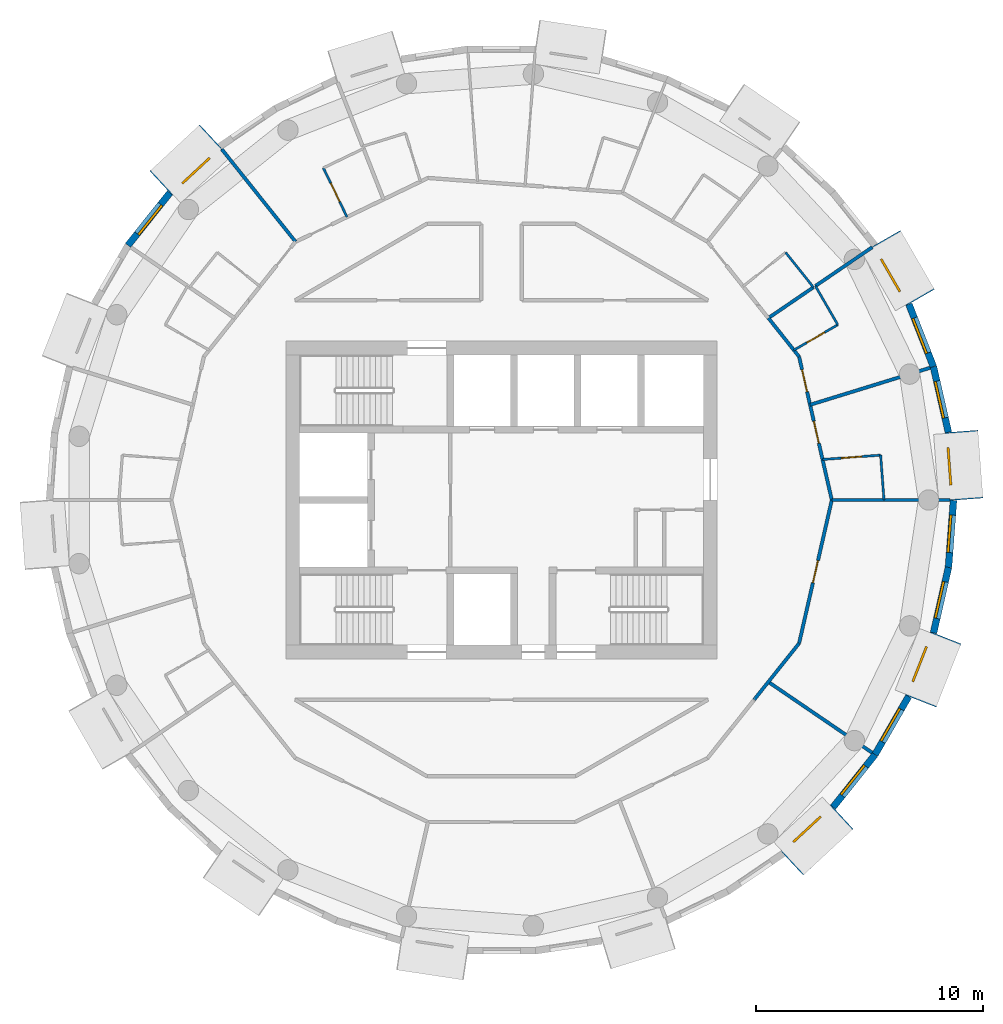
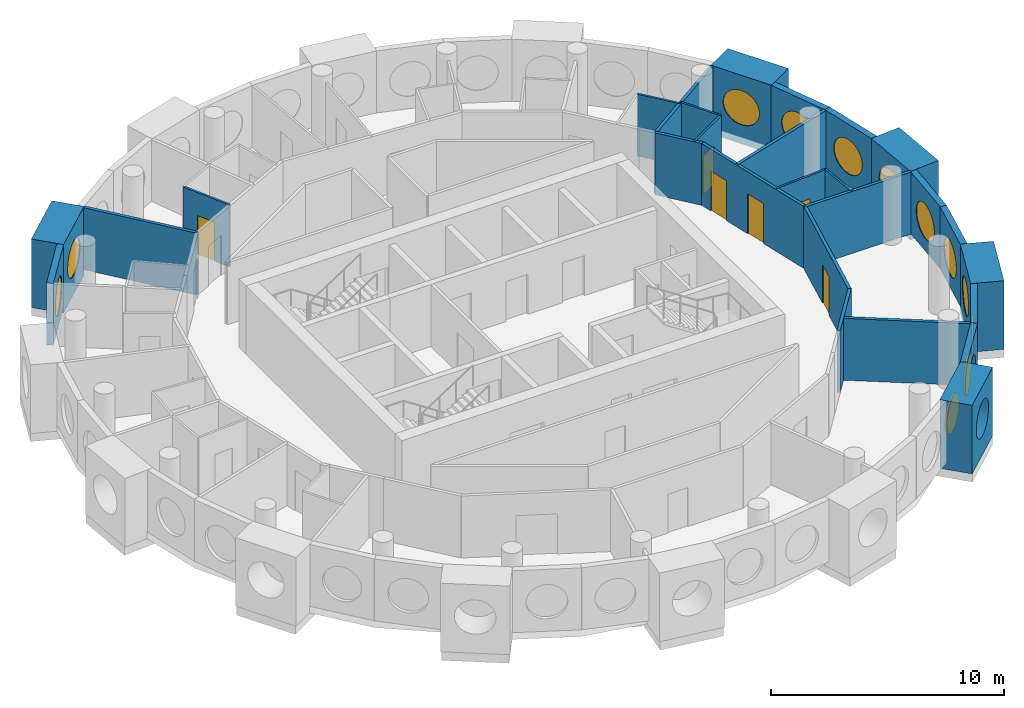
# One storey, part 10 of 13: 28 walls, 12 windows, 6 doors, 18 openings.
"""IFC4 building model written with IfcOpenShell, lengths in metres."""

from ifc_helpers import new_model, si_unit, direction, frame, frame_2d, origin, origin_2d, place, context, subcontext, project, spatial, rectangle, circle, extrude, material, layer, layer_set, type_object, element, fill, save


model = new_model("IFC4")

# Units and contexts
model_context = context("Model", 3, precision=1e-05, world=origin(), true_north=direction((0.0, 1.0)))
body_context = subcontext(model_context, "Body", "Model", "MODEL_VIEW")
ifc_project = project(units=[si_unit("LENGTHUNIT", "METRE"), si_unit("AREAUNIT", "SQUARE_METRE"), si_unit("VOLUMEUNIT", "CUBIC_METRE"), si_unit("PLANEANGLEUNIT", "RADIAN"), si_unit("MASSUNIT", "GRAM", prefix="KILO")], contexts=[model_context])

# Site, building, storey
site_placement = place(None, origin())
site = spatial("IfcSite", under=ifc_project, at=site_placement, CompositionType="ELEMENT")
building_placement = place(site_placement, origin())
building = spatial("IfcBuilding", under=site, at=building_placement, Name="Tracery Tower", CompositionType="ELEMENT")
storey_placement = place(building_placement, frame((0.0, 0.0, 309.0)))
storey = spatial("IfcBuildingStorey", under=building, at=storey_placement, Name="L80", CompositionType="ELEMENT", Elevation=309.0)

# Wall, opening, window
ifc_material_1 = material(Name="Precast concrete C50/60", Category="concrete")
ifc_layer_1 = layer(ifc_material_1, 1.449951171875)
ifc_layer_set_1 = layer_set([ifc_layer_1], Name="Deep-set bay unit 3000 x 3600, slab edge 350")
wall_type_1 = type_object("IfcWallType", Name="Deep-set bay unit 3000 x 3600, slab edge 350", PredefinedType="ELEMENTEDWALL", material=ifc_layer_set_1)
wall_1_placement = place(storey_placement, frame((20.49609375, 0.03173828125, -0.35009765625), z_axis=(0.0, 0.0, 1.0), x_axis=(-0.074785902127, 0.997199613339, 0.0)))
wall_1 = element("IfcWall", 1, at=wall_1_placement, inside=storey, type_object=wall_type_1, Name="Deep-set bay unit 1 at L80", PredefinedType="ELEMENTEDWALL", context=body_context, shape_type="SweptSolid", body=[
    extrude(rectangle(XDim=3.0, YDim=1.449951171875, at=frame_2d((1.5, 0.0))), origin(), (0.0, 0.0, 1.0), 3.60009765625),
])
opening_1_placement = place(wall_1_placement, frame((1.5, 0.0, 1.89990234375)))
opening_1 = element("IfcOpeningElement", 2, at=opening_1_placement, cuts=wall_1, Name="Opening WN1", PredefinedType="OPENING", context=body_context, shape_type="SweptSolid", body=[
    extrude(circle(Radius=0.9000244140625, at=origin_2d()), frame((0.0, 0.73486328125, 0.0), z_axis=(0.0, -1.0, 0.0), x_axis=(1.0, 0.0, 0.0)), (0.0, 0.0, 1.0), 1.469970703125),
])
ifc_material_2 = material(Name="Aluminium frame with tinted double glazing", Category="aluminium")
window_type = type_object("IfcWindowType", Name="Round window 1800", PartitioningType="SINGLE_PANEL", PredefinedType="WINDOW", material=ifc_material_2)
window_1_placement = place(opening_1_placement, origin())
window_1 = element("IfcWindow", 3, at=window_1_placement, inside=storey, type_object=window_type, Name="Round window 1 at L80", OverallHeight=1.800048828125, OverallWidth=1.800048828125, PartitioningType="SINGLE_PANEL", PredefinedType="WINDOW", context=body_context, shape_type="SweptSolid", body=[
    extrude(circle(Radius=0.9000244140625, at=origin_2d()), frame((0.0, 0.69482421875, 0.0), z_axis=(0.0, -1.0, 0.0), x_axis=(1.0, 0.0, 0.0)), (0.0, 0.0, 1.0), 0.10009765625),
])
fill(opening_1, window_1)

wall_2_placement = place(storey_placement, frame((18.452392578125, 8.92138671875, -0.35009765625), z_axis=(0.0, 0.0, 1.0), x_axis=(-0.499990139034, 0.866031096941, 0.0)))
wall_2 = element("IfcWall", 4, at=wall_2_placement, inside=storey, type_object=wall_type_1, Name="Deep-set bay unit 4 at L80", PredefinedType="ELEMENTEDWALL", context=body_context, shape_type="SweptSolid", body=[
    extrude(rectangle(XDim=3.0, YDim=1.449951171875, at=frame_2d((1.5, 0.0))), origin(), (0.0, 0.0, 1.0), 3.60009765625),
])
opening_2_placement = place(wall_2_placement, frame((1.5, 0.0, 1.89990234375)))
opening_2 = element("IfcOpeningElement", 5, at=opening_2_placement, cuts=wall_2, Name="Opening WN1", PredefinedType="OPENING", context=body_context, shape_type="SweptSolid", body=[
    extrude(circle(Radius=0.9000244140625, at=origin_2d()), frame((0.0, 0.73486328125, 0.0), z_axis=(0.0, -1.0, 0.0), x_axis=(1.0, 0.0, 0.0)), (0.0, 0.0, 1.0), 1.469970703125),
])
window_2_placement = place(opening_2_placement, origin())
window_2 = element("IfcWindow", 6, at=window_2_placement, inside=storey, type_object=window_type, Name="Round window 4 at L80", OverallHeight=1.800048828125, OverallWidth=1.800048828125, PartitioningType="SINGLE_PANEL", PredefinedType="WINDOW", context=body_context, shape_type="SweptSolid", body=[
    extrude(circle(Radius=0.9000244140625, at=origin_2d()), frame((0.0, 0.69482421875, 0.0), z_axis=(0.0, -1.0, 0.0), x_axis=(1.0, 0.0, 0.0)), (0.0, 0.0, 1.0), 0.10009765625),
])
fill(opening_2, window_2)

wall_3_placement = place(storey_placement, frame((-12.803955078125, 16.004638671875, -0.35009765625), z_axis=(0.0, 0.0, 1.0), x_axis=(-0.733022439167, -0.680204457261, 0.0)))
wall_3 = element("IfcWall", 7, at=wall_3_placement, inside=storey, type_object=wall_type_1, Name="Deep-set bay unit 16 at L80", PredefinedType="ELEMENTEDWALL", context=body_context, shape_type="SweptSolid", body=[
    extrude(rectangle(XDim=2.999755859375, YDim=1.449951171875, at=frame_2d((1.5, 0.0))), origin(), (0.0, 0.0, 1.0), 3.60009765625),
])
opening_3_placement = place(wall_3_placement, frame((1.5, 0.0, 1.89990234375)))
opening_3 = element("IfcOpeningElement", 8, at=opening_3_placement, cuts=wall_3, Name="Opening WN1", PredefinedType="OPENING", context=body_context, shape_type="SweptSolid", body=[
    extrude(circle(Radius=0.9000244140625, at=origin_2d()), frame((0.0, 0.73486328125, 0.0), z_axis=(0.0, -1.0, 0.0), x_axis=(1.0, 0.0, 0.0)), (0.0, 0.0, 1.0), 1.469970703125),
])
window_3_placement = place(opening_3_placement, origin())
window_3 = element("IfcWindow", 9, at=window_3_placement, inside=storey, type_object=window_type, Name="Round window 16 at L80", OverallHeight=1.800048828125, OverallWidth=1.800048828125, PartitioningType="SINGLE_PANEL", PredefinedType="WINDOW", context=body_context, shape_type="SweptSolid", body=[
    extrude(circle(Radius=0.9000244140625, at=origin_2d()), frame((0.0, 0.69482421875, 0.0), z_axis=(0.0, -1.0, 0.0), x_axis=(1.0, 0.0, 0.0)), (0.0, 0.0, 1.0), 0.10009765625),
])
fill(opening_3, window_3)

wall_4_placement = place(storey_placement, frame((12.803955078125, -16.004638671875, -0.35009765625), z_axis=(0.0, 0.0, 1.0), x_axis=(0.733022439167, 0.680204457261, 0.0)))
wall_4 = element("IfcWall", 10, at=wall_4_placement, inside=storey, type_object=wall_type_1, Name="Deep-set bay unit 37 at L80", PredefinedType="ELEMENTEDWALL", context=body_context, shape_type="SweptSolid", body=[
    extrude(rectangle(XDim=2.999755859375, YDim=1.449951171875, at=frame_2d((1.5, 0.0))), origin(), (0.0, 0.0, 1.0), 3.60009765625),
])
opening_4_placement = place(wall_4_placement, frame((1.5, 0.0, 1.89990234375)))
opening_4 = element("IfcOpeningElement", 11, at=opening_4_placement, cuts=wall_4, Name="Opening WN1", PredefinedType="OPENING", context=body_context, shape_type="SweptSolid", body=[
    extrude(circle(Radius=0.9000244140625, at=origin_2d()), frame((0.0, 0.73486328125, 0.0), z_axis=(0.0, -1.0, 0.0), x_axis=(1.0, 0.0, 0.0)), (0.0, 0.0, 1.0), 1.469970703125),
])
window_4_placement = place(opening_4_placement, origin())
window_4 = element("IfcWindow", 12, at=window_4_placement, inside=storey, type_object=window_type, Name="Round window 37 at L80", OverallHeight=1.800048828125, OverallWidth=1.800048828125, PartitioningType="SINGLE_PANEL", PredefinedType="WINDOW", context=body_context, shape_type="SweptSolid", body=[
    extrude(circle(Radius=0.9000244140625, at=origin_2d()), frame((0.0, 0.69482421875, 0.0), z_axis=(0.0, -1.0, 0.0), x_axis=(1.0, 0.0, 0.0)), (0.0, 0.0, 1.0), 0.10009765625),
])
fill(opening_4, window_4)

wall_5_placement = place(storey_placement, frame((18.47998046875, -8.8642578125, -0.35009765625), z_axis=(0.0, 0.0, 1.0), x_axis=(0.36537792632, 0.93085926485, 0.0)))
wall_5 = element("IfcWall", 13, at=wall_5_placement, inside=storey, type_object=wall_type_1, Name="Deep-set bay unit 40 at L80", PredefinedType="ELEMENTEDWALL", context=body_context, shape_type="SweptSolid", body=[
    extrude(rectangle(XDim=3.000244140625, YDim=1.449951171875, at=frame_2d((1.5, 0.0))), origin(), (0.0, 0.0, 1.0), 3.60009765625),
])
opening_5_placement = place(wall_5_placement, frame((1.5, 0.0, 1.89990234375)))
opening_5 = element("IfcOpeningElement", 14, at=opening_5_placement, cuts=wall_5, Name="Opening WN1", PredefinedType="OPENING", context=body_context, shape_type="SweptSolid", body=[
    extrude(circle(Radius=0.9000244140625, at=origin_2d()), frame((0.0, 0.73486328125, 0.0), z_axis=(0.0, -1.0, 0.0), x_axis=(1.0, 0.0, 0.0)), (0.0, 0.0, 1.0), 1.469970703125),
])
window_5_placement = place(opening_5_placement, origin())
window_5 = element("IfcWindow", 15, at=window_5_placement, inside=storey, type_object=window_type, Name="Round window 40 at L80", OverallHeight=1.800048828125, OverallWidth=1.800048828125, PartitioningType="SINGLE_PANEL", PredefinedType="WINDOW", context=body_context, shape_type="SweptSolid", body=[
    extrude(circle(Radius=0.9000244140625, at=origin_2d()), frame((0.0, 0.69482421875, 0.0), z_axis=(0.0, -1.0, 0.0), x_axis=(1.0, 0.0, 0.0)), (0.0, 0.0, 1.0), 0.10009765625),
])
fill(opening_5, window_5)

ifc_material_3 = material(Name="Precast concrete C50/60", Category="concrete")
ifc_layer_2 = layer(ifc_material_3, 0.300048828125)
ifc_layer_set_2 = layer_set([ifc_layer_2], Name="Facade panel 3000 x 3250")
wall_type_2 = type_object("IfcWallType", Name="Facade panel 3000 x 3250", PredefinedType="SOLIDWALL", material=ifc_layer_set_2)
wall_6_placement = place(storey_placement, frame((19.69580078125, 2.984130859375, 0.0), z_axis=(0.0, 0.0, 1.0), x_axis=(-0.222529389789, 0.974925982155, 0.0)))
wall_6 = element("IfcWall", 16, at=wall_6_placement, inside=storey, type_object=wall_type_2, Name="Facade panel 2 at L80", PredefinedType="SOLIDWALL", context=body_context, shape_type="SweptSolid", body=[
    extrude(rectangle(XDim=2.962158203125, YDim=0.300048828125, at=frame_2d((1.48095703125, 0.0))), origin(), (0.0, 0.0, 1.0), 3.25),
])
opening_6_placement = place(wall_6_placement, frame((1.48095703125, 0.0, 1.5498046875)))
opening_6 = element("IfcOpeningElement", 17, at=opening_6_placement, cuts=wall_6, Name="Opening WN1", PredefinedType="OPENING", context=body_context, shape_type="SweptSolid", body=[
    extrude(circle(Radius=0.9000244140625, at=origin_2d()), frame((0.0, 0.159912109375, 0.0), z_axis=(0.0, -1.0, 0.0), x_axis=(1.0, 0.0, 0.0)), (0.0, 0.0, 1.0), 0.320068359375),
])
window_6_placement = place(opening_6_placement, origin())
window_6 = element("IfcWindow", 18, at=window_6_placement, inside=storey, type_object=window_type, Name="Round window 2 at L80", OverallHeight=1.800048828125, OverallWidth=1.800048828125, PartitioningType="SINGLE_PANEL", PredefinedType="WINDOW", context=body_context, shape_type="SweptSolid", body=[
    extrude(circle(Radius=0.9000244140625, at=origin_2d()), frame((0.0, 0.1201171875, 0.0), z_axis=(0.0, -1.0, 0.0), x_axis=(1.0, 0.0, 0.0)), (0.0, 0.0, 1.0), 0.10009765625),
])
fill(opening_6, window_6)

wall_7_placement = place(storey_placement, frame((19.03662109375, 5.8720703125, 0.0), z_axis=(0.0, 0.0, 1.0), x_axis=(-0.36530043032, 0.930889679612, 0.0)))
wall_7 = element("IfcWall", 19, at=wall_7_placement, inside=storey, type_object=wall_type_2, Name="Facade panel 3 at L80", PredefinedType="SOLIDWALL", context=body_context, shape_type="SweptSolid", body=[
    extrude(rectangle(XDim=2.9619140625, YDim=0.300048828125, at=frame_2d((1.48095703125, 0.0))), origin(), (0.0, 0.0, 1.0), 3.25),
])
opening_7_placement = place(wall_7_placement, frame((1.48095703125, 0.0, 1.5498046875)))
opening_7 = element("IfcOpeningElement", 20, at=opening_7_placement, cuts=wall_7, Name="Opening WN1", PredefinedType="OPENING", context=body_context, shape_type="SweptSolid", body=[
    extrude(circle(Radius=0.9000244140625, at=origin_2d()), frame((0.0, 0.159912109375, 0.0), z_axis=(0.0, -1.0, 0.0), x_axis=(1.0, 0.0, 0.0)), (0.0, 0.0, 1.0), 0.320068359375),
])
window_7_placement = place(opening_7_placement, origin())
window_7 = element("IfcWindow", 21, at=window_7_placement, inside=storey, type_object=window_type, Name="Round window 3 at L80", OverallHeight=1.800048828125, OverallWidth=1.800048828125, PartitioningType="SINGLE_PANEL", PredefinedType="WINDOW", context=body_context, shape_type="SweptSolid", body=[
    extrude(circle(Radius=0.9000244140625, at=origin_2d()), frame((0.0, 0.1201171875, 0.0), z_axis=(0.0, -1.0, 0.0), x_axis=(1.0, 0.0, 0.0)), (0.0, 0.0, 1.0), 0.10009765625),
])
fill(opening_7, window_7)

wall_8_placement = place(storey_placement, frame((-14.61328125, 13.538330078125, 0.0), z_axis=(0.0, 0.0, 1.0), x_axis=(-0.623498236992, -0.781824755599, 0.0)))
wall_8 = element("IfcWall", 22, at=wall_8_placement, inside=storey, type_object=wall_type_2, Name="Facade panel 17 at L80", PredefinedType="SOLIDWALL", context=body_context, shape_type="SweptSolid", body=[
    extrude(rectangle(XDim=2.962158203125, YDim=0.300048828125, at=frame_2d((1.48095703125, 0.0))), origin(), (0.0, 0.0, 1.0), 3.25),
])
opening_8_placement = place(wall_8_placement, frame((1.48095703125, 0.0, 1.5498046875)))
opening_8 = element("IfcOpeningElement", 23, at=opening_8_placement, cuts=wall_8, Name="Opening WN1", PredefinedType="OPENING", context=body_context, shape_type="SweptSolid", body=[
    extrude(circle(Radius=0.9000244140625, at=origin_2d()), frame((0.0, 0.159912109375, 0.0), z_axis=(0.0, -1.0, 0.0), x_axis=(1.0, 0.0, 0.0)), (0.0, 0.0, 1.0), 0.320068359375),
])
window_8_placement = place(opening_8_placement, origin())
window_8 = element("IfcWindow", 24, at=window_8_placement, inside=storey, type_object=window_type, Name="Round window 17 at L80", OverallHeight=1.800048828125, OverallWidth=1.800048828125, PartitioningType="SINGLE_PANEL", PredefinedType="WINDOW", context=body_context, shape_type="SweptSolid", body=[
    extrude(circle(Radius=0.9000244140625, at=origin_2d()), frame((0.0, 0.1201171875, 0.0), z_axis=(0.0, -1.0, 0.0), x_axis=(1.0, 0.0, 0.0)), (0.0, 0.0, 1.0), 0.10009765625),
])
fill(opening_8, window_8)

wall_9_placement = place(storey_placement, frame((14.61328125, -13.538330078125, 0.0), z_axis=(0.0, 0.0, 1.0), x_axis=(0.623498236992, 0.781824755599, 0.0)))
wall_9 = element("IfcWall", 25, at=wall_9_placement, inside=storey, type_object=wall_type_2, Name="Facade panel 38 at L80", PredefinedType="SOLIDWALL", context=body_context, shape_type="SweptSolid", body=[
    extrude(rectangle(XDim=2.962158203125, YDim=0.300048828125, at=frame_2d((1.48095703125, 0.0))), origin(), (0.0, 0.0, 1.0), 3.25),
])
opening_9_placement = place(wall_9_placement, frame((1.48095703125, 0.0, 1.5498046875)))
opening_9 = element("IfcOpeningElement", 26, at=opening_9_placement, cuts=wall_9, Name="Opening WN1", PredefinedType="OPENING", context=body_context, shape_type="SweptSolid", body=[
    extrude(circle(Radius=0.9000244140625, at=origin_2d()), frame((0.0, 0.159912109375, 0.0), z_axis=(0.0, -1.0, 0.0), x_axis=(1.0, 0.0, 0.0)), (0.0, 0.0, 1.0), 0.320068359375),
])
window_9_placement = place(opening_9_placement, origin())
window_9 = element("IfcWindow", 27, at=window_9_placement, inside=storey, type_object=window_type, Name="Round window 38 at L80", OverallHeight=1.800048828125, OverallWidth=1.800048828125, PartitioningType="SINGLE_PANEL", PredefinedType="WINDOW", context=body_context, shape_type="SweptSolid", body=[
    extrude(circle(Radius=0.9000244140625, at=origin_2d()), frame((0.0, 0.1201171875, 0.0), z_axis=(0.0, -1.0, 0.0), x_axis=(1.0, 0.0, 0.0)), (0.0, 0.0, 1.0), 0.10009765625),
])
fill(opening_9, window_9)

wall_10_placement = place(storey_placement, frame((16.460205078125, -11.222412109375, 0.0), z_axis=(0.0, 0.0, 1.0), x_axis=(0.499950756475, 0.86605383268, 0.0)))
wall_10 = element("IfcWall", 28, at=wall_10_placement, inside=storey, type_object=wall_type_2, Name="Facade panel 39 at L80", PredefinedType="SOLIDWALL", context=body_context, shape_type="SweptSolid", body=[
    extrude(rectangle(XDim=2.962158203125, YDim=0.300048828125, at=frame_2d((1.48095703125, 0.0))), origin(), (0.0, 0.0, 1.0), 3.25),
])
opening_10_placement = place(wall_10_placement, frame((1.48095703125, 0.0, 1.5498046875)))
opening_10 = element("IfcOpeningElement", 29, at=opening_10_placement, cuts=wall_10, Name="Opening WN1", PredefinedType="OPENING", context=body_context, shape_type="SweptSolid", body=[
    extrude(circle(Radius=0.9000244140625, at=origin_2d()), frame((0.0, 0.159912109375, 0.0), z_axis=(0.0, -1.0, 0.0), x_axis=(1.0, 0.0, 0.0)), (0.0, 0.0, 1.0), 0.320068359375),
])
window_10_placement = place(opening_10_placement, origin())
window_10 = element("IfcWindow", 30, at=window_10_placement, inside=storey, type_object=window_type, Name="Round window 39 at L80", OverallHeight=1.800048828125, OverallWidth=1.800048828125, PartitioningType="SINGLE_PANEL", PredefinedType="WINDOW", context=body_context, shape_type="SweptSolid", body=[
    extrude(circle(Radius=0.9000244140625, at=origin_2d()), frame((0.0, 0.1201171875, 0.0), z_axis=(0.0, -1.0, 0.0), x_axis=(1.0, 0.0, 0.0)), (0.0, 0.0, 1.0), 0.10009765625),
])
fill(opening_10, window_10)

wall_11_placement = place(storey_placement, frame((19.0400390625, -5.857177734375, 0.0), z_axis=(0.0, 0.0, 1.0), x_axis=(0.222529389789, 0.974925982155, 0.0)))
wall_11 = element("IfcWall", 31, at=wall_11_placement, inside=storey, type_object=wall_type_2, Name="Facade panel 41 at L80", PredefinedType="SOLIDWALL", context=body_context, shape_type="SweptSolid", body=[
    extrude(rectangle(XDim=2.962158203125, YDim=0.300048828125, at=frame_2d((1.48095703125, 0.0))), origin(), (0.0, 0.0, 1.0), 3.25),
])
opening_11_placement = place(wall_11_placement, frame((1.48095703125, 0.0, 1.5498046875)))
opening_11 = element("IfcOpeningElement", 32, at=opening_11_placement, cuts=wall_11, Name="Opening WN1", PredefinedType="OPENING", context=body_context, shape_type="SweptSolid", body=[
    extrude(circle(Radius=0.9000244140625, at=origin_2d()), frame((0.0, 0.159912109375, 0.0), z_axis=(0.0, -1.0, 0.0), x_axis=(1.0, 0.0, 0.0)), (0.0, 0.0, 1.0), 0.320068359375),
])
window_11_placement = place(opening_11_placement, origin())
window_11 = element("IfcWindow", 33, at=window_11_placement, inside=storey, type_object=window_type, Name="Round window 41 at L80", OverallHeight=1.800048828125, OverallWidth=1.800048828125, PartitioningType="SINGLE_PANEL", PredefinedType="WINDOW", context=body_context, shape_type="SweptSolid", body=[
    extrude(circle(Radius=0.9000244140625, at=origin_2d()), frame((0.0, 0.1201171875, 0.0), z_axis=(0.0, -1.0, 0.0), x_axis=(1.0, 0.0, 0.0)), (0.0, 0.0, 1.0), 0.10009765625),
])
fill(opening_11, window_11)

wall_12_placement = place(storey_placement, frame((19.69921875, -2.96923828125, 0.0), z_axis=(0.0, 0.0, 1.0), x_axis=(0.07474897196, 0.997202382263, 0.0)))
wall_12 = element("IfcWall", 34, at=wall_12_placement, inside=storey, type_object=wall_type_2, Name="Facade panel 42 at L80", PredefinedType="SOLIDWALL", context=body_context, shape_type="SweptSolid", body=[
    extrude(rectangle(XDim=2.96240234375, YDim=0.300048828125, at=frame_2d((1.481201171875, 0.0))), origin(), (0.0, 0.0, 1.0), 3.25),
])
opening_12_placement = place(wall_12_placement, frame((1.48095703125, 0.0, 1.5498046875)))
opening_12 = element("IfcOpeningElement", 35, at=opening_12_placement, cuts=wall_12, Name="Opening WN1", PredefinedType="OPENING", context=body_context, shape_type="SweptSolid", body=[
    extrude(circle(Radius=0.9000244140625, at=origin_2d()), frame((0.0, 0.159912109375, 0.0), z_axis=(0.0, -1.0, 0.0), x_axis=(1.0, 0.0, 0.0)), (0.0, 0.0, 1.0), 0.320068359375),
])
window_12_placement = place(opening_12_placement, origin())
window_12 = element("IfcWindow", 36, at=window_12_placement, inside=storey, type_object=window_type, Name="Round window 42 at L80", OverallHeight=1.800048828125, OverallWidth=1.800048828125, PartitioningType="SINGLE_PANEL", PredefinedType="WINDOW", context=body_context, shape_type="SweptSolid", body=[
    extrude(circle(Radius=0.9000244140625, at=origin_2d()), frame((0.0, 0.1201171875, 0.0), z_axis=(0.0, -1.0, 0.0), x_axis=(1.0, 0.0, 0.0)), (0.0, 0.0, 1.0), 0.10009765625),
])
fill(opening_12, window_12)

# Wall
ifc_material_4 = material(Name="Plasterboard on steel studs", Category="steel")
ifc_layer_3 = layer(ifc_material_4, 0.10009765625)
ifc_layer_set_3 = layer_set([ifc_layer_3], Name="Partition 100 wet wall")
wall_type_3 = type_object("IfcWallType", Name="Partition 100 wet wall", PredefinedType="PARTITIONING", material=ifc_layer_set_3)
wall_13_placement = place(storey_placement, frame((16.7080078125, 1.97705078125, 0.0), z_axis=(0.0, 0.0, 1.0), x_axis=(0.074624634103, -0.997211694669, 0.0)))
element("IfcWall", 37, at=wall_13_placement, inside=storey, type_object=wall_type_3, Name="Wet wall RC8-043", PredefinedType="PARTITIONING", context=body_context, shape_type="SweptSolid", body=[
    extrude(rectangle(XDim=1.982666015625, YDim=0.10009765625, at=frame_2d((0.9912109375, 0.0))), origin(), (0.0, 0.0, 1.0), 3.25),
])

# Wall, opening, door
wall_14_placement = place(storey_placement, frame((14.14892578125, 1.784912109375, 0.0), z_axis=(0.0, 0.0, 1.0), x_axis=(0.997193275785, 0.074870359477, 0.0)))
wall_14 = element("IfcWall", 38, at=wall_14_placement, inside=storey, type_object=wall_type_3, Name="Wet wall RC8-044", PredefinedType="PARTITIONING", context=body_context, shape_type="SweptSolid", body=[
    extrude(rectangle(XDim=2.56640625, YDim=0.10009765625, at=frame_2d((1.283203125, 0.0))), origin(), (0.0, 0.0, 1.0), 3.25),
])
opening_13_placement = place(wall_14_placement, frame((0.833251953125, 0.0, 0.0)))
opening_13 = element("IfcOpeningElement", 39, at=opening_13_placement, cuts=wall_14, Name="Opening RC8-04", PredefinedType="OPENING", context=body_context, shape_type="SweptSolid", body=[
    extrude(rectangle(XDim=0.89990234375, YDim=2.0400390625, at=frame_2d((0.449951171875, 1.02001953125))), frame((0.0, 0.050048828125, 0.0), z_axis=(0.0, -1.0, 0.0), x_axis=(1.0, 0.0, 0.0)), (0.0, 0.0, 1.0), 0.10009765625),
])
ifc_material_5 = material(Name="Timber door leaf", Category="wood")
door_type_1 = type_object("IfcDoorType", Name="Door en-suite 900", OperationType="NOTDEFINED", PredefinedType="DOOR", material=ifc_material_5)
door_1_placement = place(opening_13_placement, origin())
door_1 = element("IfcDoor", 40, at=door_1_placement, inside=storey, type_object=door_type_1, Name="En-suite door RC8-04", OperationType="SINGLE_SWING_LEFT", OverallHeight=2.0400390625, OverallWidth=0.89990234375, PredefinedType="DOOR", context=body_context, shape_type="SweptSolid", body=[
    extrude(rectangle(XDim=0.89990234375, YDim=2.0400390625, at=frame_2d((0.449951171875, 1.02001953125))), frame((0.0, 0.02490234375, 0.0), z_axis=(0.0, -1.0, 0.0), x_axis=(1.0, 0.0, 0.0)), (0.0, 0.0, 1.0), 0.050048828125),
])
fill(opening_13, door_1)

wall_15_placement = place(storey_placement, frame((12.885009765625, 6.60498046875, 0.0), z_axis=(0.0, 0.0, 1.0), x_axis=(0.866076416361, 0.499911633214, 0.0)))
wall_15 = element("IfcWall", 41, at=wall_15_placement, inside=storey, type_object=wall_type_3, Name="Wet wall RC8-047", PredefinedType="PARTITIONING", context=body_context, shape_type="SweptSolid", body=[
    extrude(rectangle(XDim=2.234375, YDim=0.10009765625, at=frame_2d((1.1171875, 0.0))), origin(), (0.0, 0.0, 1.0), 3.25),
])
opening_14_placement = place(wall_15_placement, frame((0.6669921875, 0.0, 0.0)))
opening_14 = element("IfcOpeningElement", 42, at=opening_14_placement, cuts=wall_15, Name="Opening RC8-06", PredefinedType="OPENING", context=body_context, shape_type="SweptSolid", body=[
    extrude(rectangle(XDim=0.89990234375, YDim=2.0400390625, at=frame_2d((0.449951171875, 1.02001953125))), frame((0.0, 0.050048828125, 0.0), z_axis=(0.0, -1.0, 0.0), x_axis=(1.0, 0.0, 0.0)), (0.0, 0.0, 1.0), 0.10009765625),
])
door_2_placement = place(opening_14_placement, origin())
door_2 = element("IfcDoor", 43, at=door_2_placement, inside=storey, type_object=door_type_1, Name="En-suite door RC8-06", OperationType="SINGLE_SWING_LEFT", OverallHeight=2.0400390625, OverallWidth=0.89990234375, PredefinedType="DOOR", context=body_context, shape_type="SweptSolid", body=[
    extrude(rectangle(XDim=0.89990234375, YDim=2.0400390625, at=frame_2d((0.449951171875, 1.02001953125))), frame((0.0, 0.02490234375, 0.0), z_axis=(0.0, -1.0, 0.0), x_axis=(1.0, 0.0, 0.0)), (0.0, 0.0, 1.0), 0.050048828125),
])
fill(opening_14, door_2)

# Walls
wall_16_placement = place(storey_placement, frame((13.8330078125, 9.430908203125, 0.0), z_axis=(0.0, 0.0, 1.0), x_axis=(0.500143626598, -0.865942465048, 0.0)))
element("IfcWall", 44, at=wall_16_placement, inside=storey, type_object=wall_type_3, Name="Wet wall RC8-048", PredefinedType="PARTITIONING", context=body_context, shape_type="SweptSolid", body=[
    extrude(rectangle(XDim=1.9736328125, YDim=0.10009765625, at=frame_2d((0.98681640625, 0.0))), origin(), (0.0, 0.0, 1.0), 3.25),
])
wall_17_placement = place(storey_placement, frame((12.52197265625, 10.909912109375, 0.0), z_axis=(0.0, 0.0, 1.0), x_axis=(0.623330716607, -0.781958322249, 0.0)))
element("IfcWall", 45, at=wall_17_placement, inside=storey, type_object=wall_type_3, Name="Wet wall RC8-051", PredefinedType="PARTITIONING", context=body_context, shape_type="SweptSolid", body=[
    extrude(rectangle(XDim=1.96533203125, YDim=0.10009765625, at=frame_2d((0.982666015625, 0.0))), origin(), (0.0, 0.0, 1.0), 3.25),
])

# Wall, opening, door
wall_18_placement = place(storey_placement, frame((-7.85009765625, 14.635009765625, 0.0), z_axis=(0.0, 0.0, 1.0), x_axis=(0.433815618773, -0.901001669759, 0.0)))
wall_18 = element("IfcWall", 46, at=wall_18_placement, inside=storey, type_object=wall_type_3, Name="Wet wall RC8-067", PredefinedType="PARTITIONING", context=body_context, shape_type="SweptSolid", body=[
    extrude(rectangle(XDim=2.399658203125, YDim=0.10009765625, at=frame_2d((1.19970703125, 0.0))), origin(), (0.0, 0.0, 1.0), 3.25),
])
opening_15_placement = place(wall_18_placement, frame((0.75, 0.0, 0.0)))
opening_15 = element("IfcOpeningElement", 47, at=opening_15_placement, cuts=wall_18, Name="Opening RC8-17", PredefinedType="OPENING", context=body_context, shape_type="SweptSolid", body=[
    extrude(rectangle(XDim=0.89990234375, YDim=2.0400390625, at=frame_2d((0.449951171875, 1.02001953125))), frame((0.0, 0.050048828125, 0.0), z_axis=(0.0, -1.0, 0.0), x_axis=(1.0, 0.0, 0.0)), (0.0, 0.0, 1.0), 0.10009765625),
])
door_3_placement = place(opening_15_placement, origin())
door_3 = element("IfcDoor", 48, at=door_3_placement, inside=storey, type_object=door_type_1, Name="En-suite door RC8-17", OperationType="SINGLE_SWING_RIGHT", OverallHeight=2.0400390625, OverallWidth=0.89990234375, PredefinedType="DOOR", context=body_context, shape_type="SweptSolid", body=[
    extrude(rectangle(XDim=0.89990234375, YDim=2.0400390625, at=frame_2d((0.449951171875, 1.02001953125))), frame((0.0, 0.02490234375, 0.0), z_axis=(0.0, -1.0, 0.0), x_axis=(1.0, 0.0, 0.0)), (0.0, 0.0, 1.0), 0.050048828125),
])
fill(opening_15, door_3)

# Walls
ifc_material_6 = material(Name="Plasterboard on steel studs", Category="steel")
ifc_layer_4 = layer(ifc_material_6, 0.14990234375)
ifc_layer_set_4 = layer_set([ifc_layer_4], Name="Partition 150 acoustic unit wall")
wall_type_4 = type_object("IfcWallType", Name="Partition 150 acoustic unit wall", PredefinedType="PARTITIONING", material=ifc_layer_set_4)
wall_19_placement = place(storey_placement, frame((13.59912109375, 4.195068359375, 0.0), z_axis=(0.0, 0.0, 1.0), x_axis=(0.955580602693, 0.294729896274, 0.0)))
element("IfcWall", 49, at=wall_19_placement, inside=storey, type_object=wall_type_4, Name="Unit wall RC8-045", PredefinedType="PARTITIONING", context=body_context, shape_type="SweptSolid", body=[
    extrude(rectangle(XDim=5.5400390625, YDim=0.14990234375, at=frame_2d((2.77001953125, 0.0))), origin(), (0.0, 0.0, 1.0), 3.25),
])
wall_20_placement = place(storey_placement, frame((14.556884765625, 0.0, 0.0), z_axis=(0.0, 0.0, 1.0), x_axis=(1.0, 0.0, 0.0)))
element("IfcWall", 50, at=wall_20_placement, inside=storey, type_object=wall_type_4, Name="Unit wall RC8-046", PredefinedType="PARTITIONING", context=body_context, shape_type="SweptSolid", body=[
    extrude(rectangle(XDim=5.214111328125, YDim=0.14990234375, at=frame_2d((2.60693359375, 0.0))), origin(), (0.0, 0.0, 1.0), 3.25),
])
wall_21_placement = place(storey_placement, frame((13.8330078125, 9.430908203125, 0.0), z_axis=(0.0, 0.0, 1.0), x_axis=(0.826152320289, 0.56344684193, 0.0)))
element("IfcWall", 51, at=wall_21_placement, inside=storey, type_object=wall_type_4, Name="Unit wall RC8-049", PredefinedType="PARTITIONING", context=body_context, shape_type="SweptSolid", body=[
    extrude(rectangle(XDim=3.029541015625, YDim=0.14990234375, at=frame_2d((1.5146484375, 0.0))), origin(), (0.0, 0.0, 1.0), 3.25),
])
wall_22_placement = place(storey_placement, frame((11.759033203125, 8.01708984375, 0.0), z_axis=(0.0, 0.0, 1.0), x_axis=(0.826143746222, 0.563459413426, 0.0)))
element("IfcWall", 52, at=wall_22_placement, inside=storey, type_object=wall_type_4, Name="Unit wall RC8-050", PredefinedType="PARTITIONING", context=body_context, shape_type="SweptSolid", body=[
    extrude(rectangle(XDim=2.409912109375, YDim=0.14990234375, at=frame_2d((1.205078125, 0.0))), origin(), (0.0, 0.0, 1.0), 3.25),
])
wall_23_placement = place(storey_placement, frame((-12.326904296875, 15.4580078125, 0.0), z_axis=(0.0, 0.0, 1.0), x_axis=(0.623460949534, -0.781854490558, 0.0)))
element("IfcWall", 53, at=wall_23_placement, inside=storey, type_object=wall_type_4, Name="Unit wall RC8-068", PredefinedType="PARTITIONING", context=body_context, shape_type="SweptSolid", body=[
    extrude(rectangle(XDim=5.21435546875, YDim=0.14990234375, at=frame_2d((2.607177734375, 0.0))), origin(), (0.0, 0.0, 1.0), 3.25),
])
wall_24_placement = place(storey_placement, frame((11.759033203125, -8.01708984375, 0.0), z_axis=(0.0, 0.0, 1.0), x_axis=(0.826207761897, -0.563365542238, 0.0)))
element("IfcWall", 54, at=wall_24_placement, inside=storey, type_object=wall_type_4, Name="Unit wall RC8-087", PredefinedType="PARTITIONING", context=body_context, shape_type="SweptSolid", body=[
    extrude(rectangle(XDim=5.53955078125, YDim=0.14990234375, at=frame_2d((2.769775390625, 0.0))), origin(), (0.0, 0.0, 1.0), 3.25),
])

# Wall, openings, doors
ifc_material_7 = material(Name="Plasterboard on steel studs", Category="steel")
ifc_layer_5 = layer(ifc_material_7, 0.14990234375)
ifc_layer_set_5 = layer_set([ifc_layer_5], Name="Partition 150 corridor wall")
wall_type_5 = type_object("IfcWallType", Name="Partition 150 corridor wall", PredefinedType="PARTITIONING", material=ifc_layer_set_5)
wall_25_placement = place(storey_placement, frame((13.11474609375, 6.31591796875, 0.0), z_axis=(0.0, 0.0, 1.0), x_axis=(0.222568978642, -0.97491694505, 0.0)))
wall_25 = element("IfcWall", 55, at=wall_25_placement, inside=storey, type_object=wall_type_5, Name="Corridor wall RC8-020", PredefinedType="PARTITIONING", context=body_context, shape_type="SweptSolid", body=[
    extrude(rectangle(XDim=6.478515625, YDim=0.14990234375, at=frame_2d((3.2392578125, 0.0))), origin(), (0.0, 0.0, 1.0), 3.25),
])
opening_16_placement = place(wall_25_placement, frame((2.911376953125, 0.0, 0.0)))
opening_16 = element("IfcOpeningElement", 56, at=opening_16_placement, cuts=wall_25, Name="Opening RC8-05", PredefinedType="OPENING", context=body_context, shape_type="SweptSolid", body=[
    extrude(rectangle(XDim=1.0, YDim=2.10009765625, at=frame_2d((0.5, 1.050048828125))), frame((0.0, 0.074951171875, 0.0), z_axis=(0.0, -1.0, 0.0), x_axis=(1.0, 0.0, 0.0)), (0.0, 0.0, 1.0), 0.14990234375),
])
opening_17_placement = place(wall_25_placement, frame((0.590087890625, 0.0, 0.0)))
opening_17 = element("IfcOpeningElement", 57, at=opening_17_placement, cuts=wall_25, Name="Opening RC8-07", PredefinedType="OPENING", context=body_context, shape_type="SweptSolid", body=[
    extrude(rectangle(XDim=1.0, YDim=2.10009765625, at=frame_2d((0.5, 1.050048828125))), frame((0.0, 0.074951171875, 0.0), z_axis=(0.0, -1.0, 0.0), x_axis=(1.0, 0.0, 0.0)), (0.0, 0.0, 1.0), 0.14990234375),
])
ifc_material_8 = material(Name="Timber door leaf", Category="wood")
door_type_2 = type_object("IfcDoorType", Name="Door unit entrance 1000", OperationType="NOTDEFINED", PredefinedType="DOOR", material=ifc_material_8)
door_4_placement = place(opening_16_placement, origin())
door_4 = element("IfcDoor", 58, at=door_4_placement, inside=storey, type_object=door_type_2, Name="Unit entrance door RC8-05", OperationType="SINGLE_SWING_LEFT", OverallHeight=2.10009765625, OverallWidth=1.0, PredefinedType="DOOR", context=body_context, shape_type="SweptSolid", body=[
    extrude(rectangle(XDim=1.0, YDim=2.10009765625, at=frame_2d((0.5, 1.050048828125))), frame((0.0, 0.02490234375, 0.0), z_axis=(0.0, -1.0, 0.0), x_axis=(1.0, 0.0, 0.0)), (0.0, 0.0, 1.0), 0.050048828125),
])
fill(opening_16, door_4)
door_5_placement = place(opening_17_placement, origin())
door_5 = element("IfcDoor", 59, at=door_5_placement, inside=storey, type_object=door_type_2, Name="Unit entrance door RC8-07", OperationType="SINGLE_SWING_RIGHT", OverallHeight=2.10009765625, OverallWidth=1.0, PredefinedType="DOOR", context=body_context, shape_type="SweptSolid", body=[
    extrude(rectangle(XDim=1.0, YDim=2.10009765625, at=frame_2d((0.5, 1.050048828125))), frame((0.0, 0.02490234375, 0.0), z_axis=(0.0, -1.0, 0.0), x_axis=(1.0, 0.0, 0.0)), (0.0, 0.0, 1.0), 0.050048828125),
])
fill(opening_17, door_5)

# Walls
wall_26_placement = place(storey_placement, frame((11.759521484375, 8.02197265625, 0.0), z_axis=(0.0, 0.0, 1.0), x_axis=(0.62206805366, -0.782963177049, 0.0)))
element("IfcWall", 60, at=wall_26_placement, inside=storey, type_object=wall_type_5, Name="Corridor wall RC8-021", PredefinedType="PARTITIONING", context=body_context, shape_type="SweptSolid", body=[
    extrude(rectangle(XDim=2.178955078125, YDim=0.14990234375, at=frame_2d((1.08935546875, 0.0))), origin(), (0.0, 0.0, 1.0), 3.25),
])
wall_27_placement = place(storey_placement, frame((11.134033203125, -8.800048828125, 0.0), z_axis=(0.0, 0.0, 1.0), x_axis=(0.623560523309, 0.781775078761, 0.0)))
element("IfcWall", 61, at=wall_27_placement, inside=storey, type_object=wall_type_5, Name="Corridor wall RC8-023", PredefinedType="PARTITIONING", context=body_context, shape_type="SweptSolid", body=[
    extrude(rectangle(XDim=3.17724609375, YDim=0.14990234375, at=frame_2d((1.588623046875, 0.0))), origin(), (0.0, 0.0, 1.0), 3.25),
])

# Wall, opening, door
wall_28_placement = place(storey_placement, frame((13.114990234375, -6.31591796875, 0.0), z_axis=(0.0, 0.0, 1.0), x_axis=(0.222568978642, 0.97491694505, 0.0)))
wall_28 = element("IfcWall", 62, at=wall_28_placement, inside=storey, type_object=wall_type_5, Name="Corridor wall RC8-024", PredefinedType="PARTITIONING", context=body_context, shape_type="SweptSolid", body=[
    extrude(rectangle(XDim=6.478515625, YDim=0.14990234375, at=frame_2d((3.2392578125, 0.0))), origin(), (0.0, 0.0, 1.0), 3.25),
])
opening_18_placement = place(wall_28_placement, frame((2.739501953125, 0.0, 0.0)))
opening_18 = element("IfcOpeningElement", 63, at=opening_18_placement, cuts=wall_28, Name="Opening RC8-32", PredefinedType="OPENING", context=body_context, shape_type="SweptSolid", body=[
    extrude(rectangle(XDim=1.0, YDim=2.0400390625, at=frame_2d((0.5, 1.02001953125))), frame((0.0, 0.074951171875, 0.0), z_axis=(0.0, -1.0, 0.0), x_axis=(1.0, 0.0, 0.0)), (0.0, 0.0, 1.0), 0.14990234375),
])
ifc_material_9 = material(Name="Timber door leaf", Category="wood")
door_type_3 = type_object("IfcDoorType", Name="Door communal room 1000", OperationType="NOTDEFINED", PredefinedType="DOOR", material=ifc_material_9)
door_6_placement = place(opening_18_placement, origin())
door_6 = element("IfcDoor", 64, at=door_6_placement, inside=storey, type_object=door_type_3, Name="Communal room door RC8-32", OperationType="SINGLE_SWING_LEFT", OverallHeight=2.0400390625, OverallWidth=1.0, PredefinedType="DOOR", context=body_context, shape_type="SweptSolid", body=[
    extrude(rectangle(XDim=1.0, YDim=2.0400390625, at=frame_2d((0.5, 1.02001953125))), frame((0.0, 0.02490234375, 0.0), z_axis=(0.0, -1.0, 0.0), x_axis=(1.0, 0.0, 0.0)), (0.0, 0.0, 1.0), 0.050048828125),
])
fill(opening_18, door_6)

save(model, "model.ifc")
